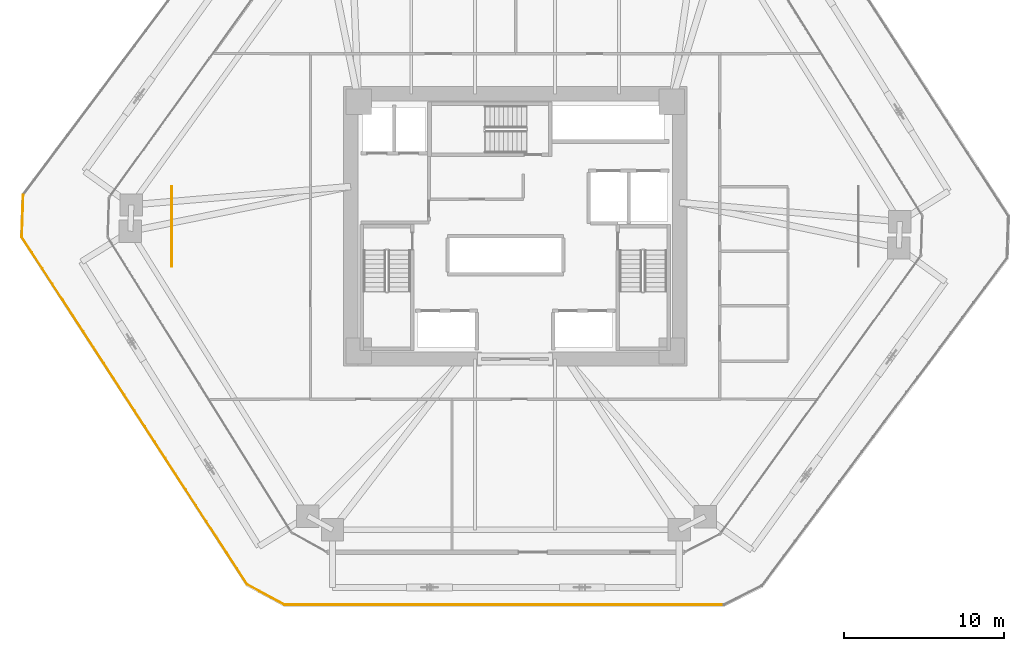
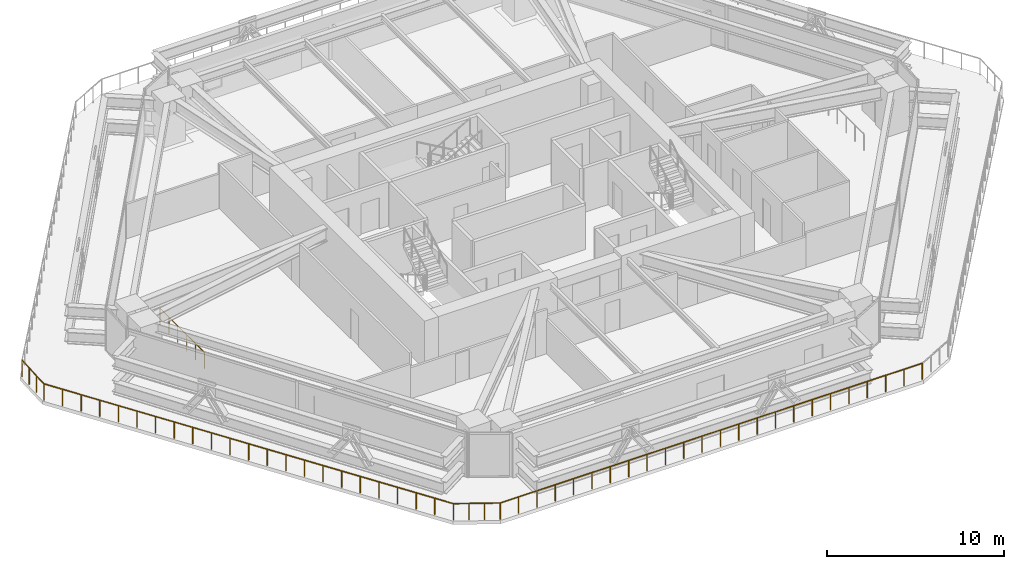
# One storey, part 17 of 20: 5 railings.
"""IFC4 building model written with IfcOpenShell, lengths in metres."""

from ifc_helpers import new_model, si_unit, direction, frame, origin, origin_2d, place, context, subcontext, project, spatial, circle, extrude, material, type_object, element, save


model = new_model("IFC4")

# Units and contexts
model_context = context("Model", 3, precision=1e-05, world=origin(), true_north=direction((0.0, 1.0)))
body_context = subcontext(model_context, "Body", "Model", "MODEL_VIEW")
ifc_project = project(units=[si_unit("LENGTHUNIT", "METRE"), si_unit("AREAUNIT", "SQUARE_METRE"), si_unit("VOLUMEUNIT", "CUBIC_METRE"), si_unit("PLANEANGLEUNIT", "RADIAN"), si_unit("MASSUNIT", "GRAM", prefix="KILO")], contexts=[model_context])

# Site, building, storey
site_placement = place(None, origin())
site = spatial("IfcSite", under=ifc_project, at=site_placement, CompositionType="ELEMENT")
building_placement = place(site_placement, origin())
building = spatial("IfcBuilding", under=site, at=building_placement, Name="Durnholm Broadcast Tower", CompositionType="ELEMENT")
storey_placement = place(building_placement, frame((0.0, 0.0, 32.39990234375)))
storey = spatial("IfcBuildingStorey", under=building, at=storey_placement, Name="L06", CompositionType="ELEMENT", Elevation=32.39990234375)

# Railings
ifc_material_1 = material(Name="Laminated Structural Glass Pool Balustrade", Category="glass")
railing_type_1 = type_object("IfcRailingType", Name="RAIL-POOL-1150", PredefinedType="BALUSTRADE", material=ifc_material_1)
railing_1_placement = place(storey_placement, frame((-21.5, -2.5, 0.0)))
element("IfcRailing", 1, at=railing_1_placement, inside=storey, type_object=railing_type_1, Name="L06 planted sky-terrace feature glass balustrade 1", PredefinedType="BALUSTRADE", context=body_context, shape_type="SweptSolid", body=[
    extrude(circle(Radius=0.02392578125, at=origin_2d()), frame((0.0, 0.0, 1.1259765625), z_axis=(0.0, 1.0, 0.0), x_axis=(-1.0, 0.0, 0.0)), (0.0, 0.0, 1.0), 5.0),
    extrude(circle(Radius=0.02099609375, at=origin_2d()), origin(), (0.0, 0.0, 1.0), 1.101806640625),
    extrude(circle(Radius=0.02099609375, at=origin_2d()), frame((0.0, 1.0, 0.0)), (0.0, 0.0, 1.0), 1.101806640625),
    extrude(circle(Radius=0.02099609375, at=origin_2d()), frame((0.0, 2.0, 0.0)), (0.0, 0.0, 1.0), 1.101806640625),
    extrude(circle(Radius=0.02099609375, at=origin_2d()), frame((0.0, 3.0, 0.0)), (0.0, 0.0, 1.0), 1.101806640625),
    extrude(circle(Radius=0.02099609375, at=origin_2d()), frame((0.0, 4.0, 0.0)), (0.0, 0.0, 1.0), 1.101806640625),
    extrude(circle(Radius=0.02099609375, at=origin_2d()), frame((0.0, 5.0, 0.0)), (0.0, 0.0, 1.0), 1.101806640625),
])
ifc_material_2 = material(Name="Stainless Steel and Laminated Glass Guardrail", Category="steel")
railing_type_2 = type_object("IfcRailingType", Name="RAIL-TERR-1150", PredefinedType="GUARDRAIL", material=ifc_material_2)
railing_2_placement = place(storey_placement, frame((-30.893310546875, -0.650390625, 0.0)))
element("IfcRailing", 2, at=railing_2_placement, inside=storey, type_object=railing_type_2, Name="L06 sky-terrace perimeter guardrail 01", PredefinedType="GUARDRAIL", context=body_context, shape_type="SweptSolid", body=[
    extrude(circle(Radius=0.02392578125, at=origin_2d()), frame((0.0, 0.0, 1.1259765625), z_axis=(0.033500220459, 0.999438710091, 0.0), x_axis=(-0.999438710091, 0.033500220459, 0.0)), (0.0, 0.0, 1.0), 2.630859375),
    extrude(circle(Radius=0.02099609375, at=origin_2d()), origin(), (0.0, 0.0, 1.0), 1.101806640625),
    extrude(circle(Radius=0.02099609375, at=origin_2d()), frame((0.029296875, 0.87646484375, 0.0)), (0.0, 0.0, 1.0), 1.101806640625),
    extrude(circle(Radius=0.02099609375, at=origin_2d()), frame((0.058837890625, 1.7529296875, 0.0)), (0.0, 0.0, 1.0), 1.101806640625),
    extrude(circle(Radius=0.02099609375, at=origin_2d()), frame((0.088134765625, 2.62939453125, 0.0)), (0.0, 0.0, 1.0), 1.101806640625),
])
railing_3_placement = place(storey_placement, frame((13.076904296875, -23.68994140625, 0.0)))
element("IfcRailing", 3, at=railing_3_placement, inside=storey, type_object=railing_type_2, Name="L06 sky-terrace perimeter guardrail 10", PredefinedType="GUARDRAIL", context=body_context, shape_type="SweptSolid", body=[
    extrude(circle(Radius=0.02392578125, at=origin_2d()), frame((0.0, 0.0, 1.1259765625), z_axis=(-1.0, 0.0, 0.0), x_axis=(0.0, -1.0, 0.0)), (0.0, 0.0, 1.0), 27.52392578125),
    extrude(circle(Radius=0.02099609375, at=origin_2d()), origin(), (0.0, 0.0, 1.0), 1.101806640625),
    extrude(circle(Radius=0.02099609375, at=origin_2d()), frame((-1.19677734375, 0.0, 0.0)), (0.0, 0.0, 1.0), 1.101806640625),
    extrude(circle(Radius=0.02099609375, at=origin_2d()), frame((-2.393310546875, 0.0, 0.0)), (0.0, 0.0, 1.0), 1.101806640625),
    extrude(circle(Radius=0.02099609375, at=origin_2d()), frame((-3.590087890625, 0.0, 0.0)), (0.0, 0.0, 1.0), 1.101806640625),
    extrude(circle(Radius=0.02099609375, at=origin_2d()), frame((-4.786865234375, 0.0, 0.0)), (0.0, 0.0, 1.0), 1.101806640625),
    extrude(circle(Radius=0.02099609375, at=origin_2d()), frame((-5.9833984375, 0.0, 0.0)), (0.0, 0.0, 1.0), 1.101806640625),
    extrude(circle(Radius=0.02099609375, at=origin_2d()), frame((-7.18017578125, 0.0, 0.0)), (0.0, 0.0, 1.0), 1.101806640625),
    extrude(circle(Radius=0.02099609375, at=origin_2d()), frame((-8.376953125, 0.0, 0.0)), (0.0, 0.0, 1.0), 1.101806640625),
    extrude(circle(Radius=0.02099609375, at=origin_2d()), frame((-9.573486328125, 0.0, 0.0)), (0.0, 0.0, 1.0), 1.101806640625),
    extrude(circle(Radius=0.02099609375, at=origin_2d()), frame((-10.770263671875, 0.0, 0.0)), (0.0, 0.0, 1.0), 1.101806640625),
    extrude(circle(Radius=0.02099609375, at=origin_2d()), frame((-11.967041015625, 0.0, 0.0)), (0.0, 0.0, 1.0), 1.101806640625),
    extrude(circle(Radius=0.02099609375, at=origin_2d()), frame((-13.16357421875, 0.0, 0.0)), (0.0, 0.0, 1.0), 1.101806640625),
    extrude(circle(Radius=0.02099609375, at=origin_2d()), frame((-14.3603515625, 0.0, 0.0)), (0.0, 0.0, 1.0), 1.101806640625),
    extrude(circle(Radius=0.02099609375, at=origin_2d()), frame((-15.556884765625, 0.0, 0.0)), (0.0, 0.0, 1.0), 1.101806640625),
    extrude(circle(Radius=0.02099609375, at=origin_2d()), frame((-16.753662109375, 0.0, 0.0)), (0.0, 0.0, 1.0), 1.101806640625),
    extrude(circle(Radius=0.02099609375, at=origin_2d()), frame((-17.950439453125, 0.0, 0.0)), (0.0, 0.0, 1.0), 1.101806640625),
    extrude(circle(Radius=0.02099609375, at=origin_2d()), frame((-19.14697265625, 0.0, 0.0)), (0.0, 0.0, 1.0), 1.101806640625),
    extrude(circle(Radius=0.02099609375, at=origin_2d()), frame((-20.34375, 0.0, 0.0)), (0.0, 0.0, 1.0), 1.101806640625),
    extrude(circle(Radius=0.02099609375, at=origin_2d()), frame((-21.54052734375, 0.0, 0.0)), (0.0, 0.0, 1.0), 1.101806640625),
    extrude(circle(Radius=0.02099609375, at=origin_2d()), frame((-22.737060546875, 0.0, 0.0)), (0.0, 0.0, 1.0), 1.101806640625),
    extrude(circle(Radius=0.02099609375, at=origin_2d()), frame((-23.933837890625, 0.0, 0.0)), (0.0, 0.0, 1.0), 1.101806640625),
    extrude(circle(Radius=0.02099609375, at=origin_2d()), frame((-25.130615234375, 0.0, 0.0)), (0.0, 0.0, 1.0), 1.101806640625),
    extrude(circle(Radius=0.02099609375, at=origin_2d()), frame((-26.3271484375, 0.0, 0.0)), (0.0, 0.0, 1.0), 1.101806640625),
    extrude(circle(Radius=0.02099609375, at=origin_2d()), frame((-27.52392578125, 0.0, 0.0)), (0.0, 0.0, 1.0), 1.101806640625),
])
railing_4_placement = place(storey_placement, frame((-14.447021484375, -23.68994140625, 0.0)))
element("IfcRailing", 4, at=railing_4_placement, inside=storey, type_object=railing_type_2, Name="L06 sky-terrace perimeter guardrail 11", PredefinedType="GUARDRAIL", context=body_context, shape_type="SweptSolid", body=[
    extrude(circle(Radius=0.02392578125, at=origin_2d()), frame((0.0, 0.0, 1.1259765625), z_axis=(-0.878674188157, 0.47742190049, 0.0), x_axis=(-0.47742190049, -0.878674188157, 0.0)), (0.0, 0.0, 1.0), 2.644287109375),
    extrude(circle(Radius=0.02099609375, at=origin_2d()), origin(), (0.0, 0.0, 1.0), 1.101806640625),
    extrude(circle(Radius=0.02099609375, at=origin_2d()), frame((-0.7744140625, 0.4208984375, 0.0)), (0.0, 0.0, 1.0), 1.101806640625),
    extrude(circle(Radius=0.02099609375, at=origin_2d()), frame((-1.549072265625, 0.841552734375, 0.0)), (0.0, 0.0, 1.0), 1.101806640625),
    extrude(circle(Radius=0.02099609375, at=origin_2d()), frame((-2.323486328125, 1.262451171875, 0.0)), (0.0, 0.0, 1.0), 1.101806640625),
])
railing_5_placement = place(storey_placement, frame((-16.7705078125, -22.427490234375, 0.0)))
element("IfcRailing", 5, at=railing_5_placement, inside=storey, type_object=railing_type_2, Name="L06 sky-terrace perimeter guardrail 12", PredefinedType="GUARDRAIL", context=body_context, shape_type="SweptSolid", body=[
    extrude(circle(Radius=0.02392578125, at=origin_2d()), frame((0.0, 0.0, 1.1259765625), z_axis=(-0.544112909039, 0.839012003619, 0.0), x_axis=(-0.839012003619, -0.544112909039, 0.0)), (0.0, 0.0, 1.0), 25.95556640625),
    extrude(circle(Radius=0.02099609375, at=origin_2d()), origin(), (0.0, 0.0, 1.0), 1.101806640625),
    extrude(circle(Radius=0.02099609375, at=origin_2d()), frame((-0.641845703125, 0.98974609375, 0.0)), (0.0, 0.0, 1.0), 1.101806640625),
    extrude(circle(Radius=0.02099609375, at=origin_2d()), frame((-1.283935546875, 1.979736328125, 0.0)), (0.0, 0.0, 1.0), 1.101806640625),
    extrude(circle(Radius=0.02099609375, at=origin_2d()), frame((-1.92578125, 2.9697265625, 0.0)), (0.0, 0.0, 1.0), 1.101806640625),
    extrude(circle(Radius=0.02099609375, at=origin_2d()), frame((-2.56787109375, 3.95947265625, 0.0)), (0.0, 0.0, 1.0), 1.101806640625),
    extrude(circle(Radius=0.02099609375, at=origin_2d()), frame((-3.209716796875, 4.94921875, 0.0)), (0.0, 0.0, 1.0), 1.101806640625),
    extrude(circle(Radius=0.02099609375, at=origin_2d()), frame((-3.8515625, 5.939208984375, 0.0)), (0.0, 0.0, 1.0), 1.101806640625),
    extrude(circle(Radius=0.02099609375, at=origin_2d()), frame((-4.49365234375, 6.92919921875, 0.0)), (0.0, 0.0, 1.0), 1.101806640625),
    extrude(circle(Radius=0.02099609375, at=origin_2d()), frame((-5.135498046875, 7.9189453125, 0.0)), (0.0, 0.0, 1.0), 1.101806640625),
    extrude(circle(Radius=0.02099609375, at=origin_2d()), frame((-5.777587890625, 8.90869140625, 0.0)), (0.0, 0.0, 1.0), 1.101806640625),
    extrude(circle(Radius=0.02099609375, at=origin_2d()), frame((-6.41943359375, 9.898681640625, 0.0)), (0.0, 0.0, 1.0), 1.101806640625),
    extrude(circle(Radius=0.02099609375, at=origin_2d()), frame((-7.0615234375, 10.888671875, 0.0)), (0.0, 0.0, 1.0), 1.101806640625),
    extrude(circle(Radius=0.02099609375, at=origin_2d()), frame((-7.703369140625, 11.87841796875, 0.0)), (0.0, 0.0, 1.0), 1.101806640625),
    extrude(circle(Radius=0.02099609375, at=origin_2d()), frame((-8.34521484375, 12.8681640625, 0.0)), (0.0, 0.0, 1.0), 1.101806640625),
    extrude(circle(Radius=0.02099609375, at=origin_2d()), frame((-8.9873046875, 13.858154296875, 0.0)), (0.0, 0.0, 1.0), 1.101806640625),
    extrude(circle(Radius=0.02099609375, at=origin_2d()), frame((-9.629150390625, 14.847900390625, 0.0)), (0.0, 0.0, 1.0), 1.101806640625),
    extrude(circle(Radius=0.02099609375, at=origin_2d()), frame((-10.271240234375, 15.837890625, 0.0)), (0.0, 0.0, 1.0), 1.101806640625),
    extrude(circle(Radius=0.02099609375, at=origin_2d()), frame((-10.9130859375, 16.82763671875, 0.0)), (0.0, 0.0, 1.0), 1.101806640625),
    extrude(circle(Radius=0.02099609375, at=origin_2d()), frame((-11.554931640625, 17.817626953125, 0.0)), (0.0, 0.0, 1.0), 1.101806640625),
    extrude(circle(Radius=0.02099609375, at=origin_2d()), frame((-12.197021484375, 18.8076171875, 0.0)), (0.0, 0.0, 1.0), 1.101806640625),
    extrude(circle(Radius=0.02099609375, at=origin_2d()), frame((-12.8388671875, 19.79736328125, 0.0)), (0.0, 0.0, 1.0), 1.101806640625),
    extrude(circle(Radius=0.02099609375, at=origin_2d()), frame((-13.48095703125, 20.787109375, 0.0)), (0.0, 0.0, 1.0), 1.101806640625),
    extrude(circle(Radius=0.02099609375, at=origin_2d()), frame((-14.122802734375, 21.777099609375, 0.0)), (0.0, 0.0, 1.0), 1.101806640625),
])

save(model, "model.ifc")
